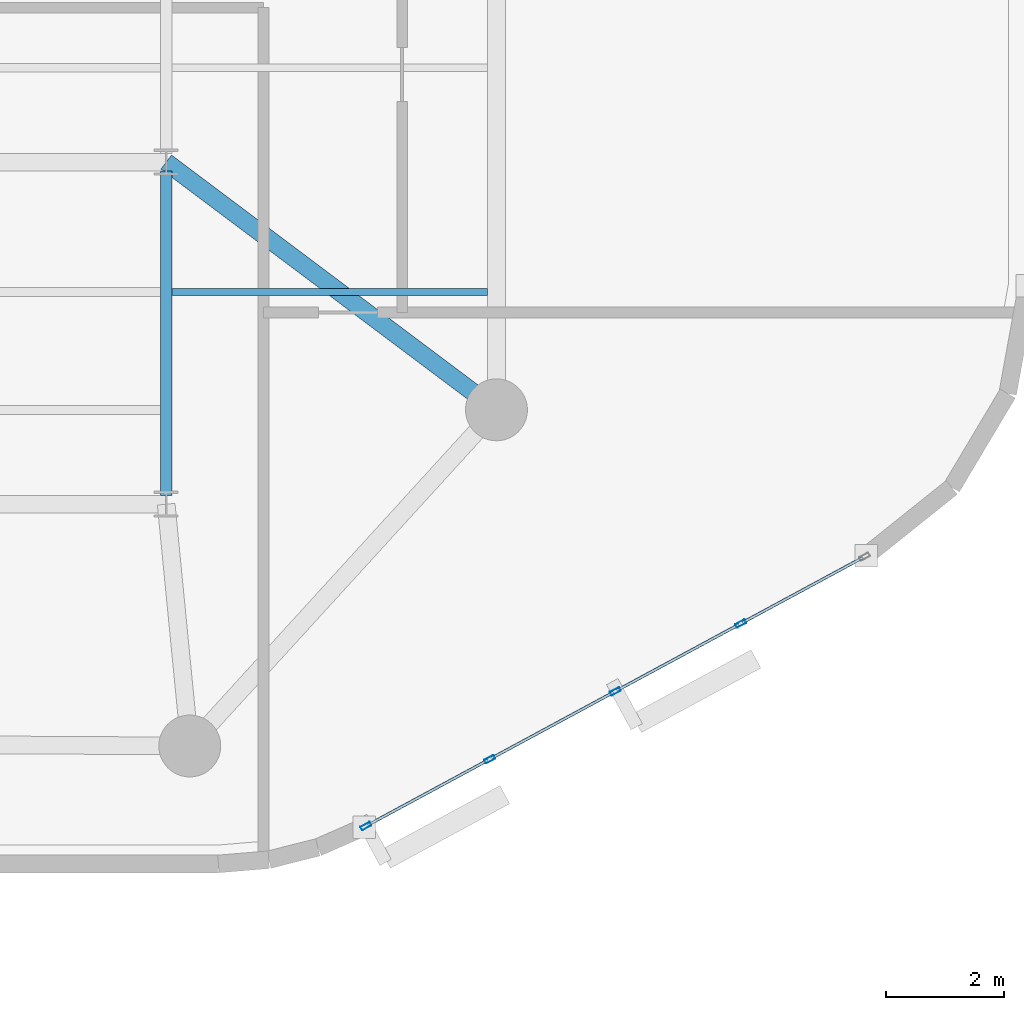
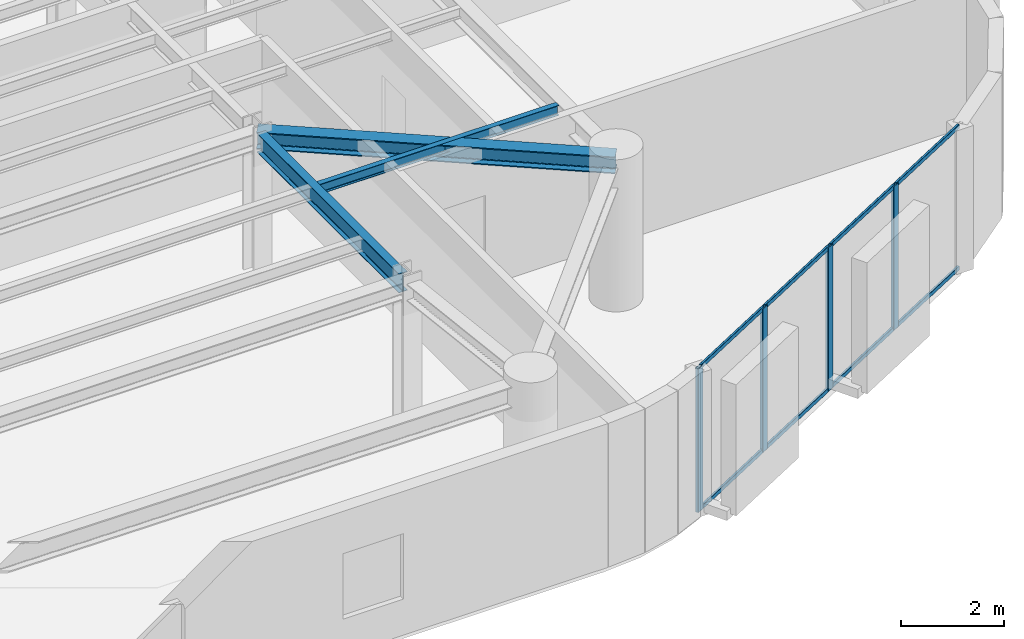
# One storey, part 2 of 13: 12 members, 3 beams, 1 element without a shape of its own.
"""IFC4 building model written with IfcOpenShell, lengths in metres."""

from ifc_helpers import new_model, si_unit, direction, frame, origin, origin_2d, place, context, subcontext, project, spatial, hollow_rectangle, i_section, extrude, material, layer, layer_set, material_profile, profile_set, type_object, element, aggregate, save


model = new_model("IFC4")

# Units and contexts
model_context = context("Model", 3, precision=1e-05, world=origin(), true_north=direction((0.0, 1.0)))
body_context = subcontext(model_context, "Body", "Model", "MODEL_VIEW")
ifc_project = project(units=[si_unit("LENGTHUNIT", "METRE"), si_unit("AREAUNIT", "SQUARE_METRE"), si_unit("VOLUMEUNIT", "CUBIC_METRE"), si_unit("PLANEANGLEUNIT", "RADIAN"), si_unit("MASSUNIT", "GRAM", prefix="KILO")], contexts=[model_context])

# Site, building, storey
site_placement = place(None, origin())
site = spatial("IfcSite", under=ifc_project, at=site_placement, CompositionType="ELEMENT")
building_placement = place(site_placement, origin())
building = spatial("IfcBuilding", under=site, at=building_placement, Name="An Khanh Terracotta Commons", CompositionType="ELEMENT")
storey_placement = place(building_placement, frame((0.0, 0.0, 233.699951171875)))
storey = spatial("IfcBuildingStorey", under=building, at=storey_placement, Name="L61", CompositionType="ELEMENT", Elevation=233.699951171875)

# Beams
ifc_material_1 = material(Name="Steel S355J2", Category="steel")
ifc_material_profile_1 = material_profile(ifc_material_1, i_section(OverallWidth=0.300048828125, OverallDepth=0.39990234375, WebThickness=0.013427734375, FlangeThickness=0.02392578125, FilletRadius=0.027099609375, at=origin_2d()), Name="HEB400")
ifc_profile_set_1 = profile_set([ifc_material_profile_1], Name="Steel S355J2")
beam_type_1 = type_object("IfcBeamType", Name="BM-HEB400", PredefinedType="BEAM", material=ifc_profile_set_1)
beam_1_placement = place(storey_placement, frame((59.60009765625, 16.0, 3.199951171875), z_axis=(-0.800008370399, 0.599988839305, 0.0), x_axis=(-0.599988839305, -0.800008370399, 0.0)))
element("IfcBeam", 1, at=beam_1_placement, inside=storey, type_object=beam_type_1, Name="L61 Mega-Column Tie Girder 3", PredefinedType="BEAM", context=body_context, shape_type="SweptSolid", body=[
    extrude(i_section(OverallWidth=0.300048828125, OverallDepth=0.39990234375, WebThickness=0.013427734375, FlangeThickness=0.02392578125, FilletRadius=0.027099609375, at=origin_2d()), origin(), (0.0, 0.0, 1.0), 7.0),
])
ifc_material_profile_2 = material_profile(ifc_material_1, i_section(OverallWidth=0.1201171875, OverallDepth=0.239990234375, WebThickness=0.006103515625, FlangeThickness=0.009765625, FilletRadius=0.014892578125, at=origin_2d()), Name="IPE240")
ifc_profile_set_2 = profile_set([ifc_material_profile_2], Name="Steel S355J2")
beam_type_2 = type_object("IfcBeamType", Name="BM-IPE240", PredefinedType="JOIST", material=ifc_profile_set_2)
beam_2_placement = place(storey_placement, frame((54.094970703125, 18.0, 3.280029296875), z_axis=(1.0, 0.0, 0.0), x_axis=(0.0, 1.0, 0.0)))
element("IfcBeam", 2, at=beam_2_placement, inside=storey, type_object=beam_type_2, Name="L61 Riverfront Composite Joist 2", PredefinedType="JOIST", context=body_context, shape_type="SweptSolid", body=[
    extrude(i_section(OverallWidth=0.1201171875, OverallDepth=0.239990234375, WebThickness=0.006103515625, FlangeThickness=0.009765625, FilletRadius=0.014892578125, at=origin_2d()), origin(), (0.0, 0.0, 1.0), 5.35498046875),
])
ifc_material_profile_3 = material_profile(ifc_material_1, i_section(OverallWidth=0.18994140625, OverallDepth=0.449951171875, WebThickness=0.009521484375, FlangeThickness=0.0146484375, FilletRadius=0.02099609375, at=origin_2d()), Name="IPE450")
ifc_profile_set_3 = profile_set([ifc_material_profile_3], Name="Steel S355J2")
beam_type_3 = type_object("IfcBeamType", Name="BM-IPE450", PredefinedType="JOIST", material=ifc_profile_set_3)
beam_3_placement = place(storey_placement, frame((54.0, 14.550048828125, 3.175048828125), z_axis=(0.0, 1.0, 0.0), x_axis=(-1.0, 0.0, 0.0)))
element("IfcBeam", 3, at=beam_3_placement, inside=storey, type_object=beam_type_3, Name="L61 East Spine Girder 1", PredefinedType="JOIST", context=body_context, shape_type="SweptSolid", body=[
    extrude(i_section(OverallWidth=0.18994140625, OverallDepth=0.449951171875, WebThickness=0.009521484375, FlangeThickness=0.0146484375, FilletRadius=0.02099609375, at=origin_2d()), origin(), (0.0, 0.0, 1.0), 5.5),
])

# Curtain wall, members
ifc_material_2 = material(Name="Anodised Aluminium 6063-T6", Category="aluminium")
ifc_layer = layer(ifc_material_2, 0.2099609375, Name="Anodised Aluminium 6063-T6")
ifc_layer_set = layer_set([ifc_layer], Name="Anodised Aluminium 6063-T6")
curtain_wall_type = type_object("IfcCurtainWallType", Name="CW-SYS-03", PredefinedType="USERDEFINED", material=ifc_layer_set)
curtain_wall_placement = place(storey_placement, origin())
curtain_wall = element("IfcCurtainWall", 4, at=curtain_wall_placement, inside=storey, type_object=curtain_wall_type, Name="L61 CW-03 Unitised Curtain Wall CW-L61-08", ObjectType="UNITISED CURTAIN WALL", PredefinedType="USERDEFINED")
ifc_material_profile_4 = material_profile(ifc_material_2, hollow_rectangle(XDim=0.070068359375, YDim=0.179931640625, WallThickness=0.00390625, InnerFilletRadius=0.00390625, OuterFilletRadius=0.008056640625, at=origin_2d()), Name="RHS180x70x4")
ifc_profile_set_4 = profile_set([ifc_material_profile_4], Name="Anodised Aluminium 6063-T6")
member_type_1 = type_object("IfcMemberType", Name="CWM-RHS180x70x4", PredefinedType="MULLION", material=ifc_profile_set_4)
member_1_placement = place(storey_placement, frame((57.3876953125, 8.941650390625, 0.0), z_axis=(0.0, 0.0, 1.0), x_axis=(-0.47538088298, 0.879780095306, 0.0)))
member_1 = element("IfcMember", 5, at=member_1_placement, type_object=member_type_1, Name="CW-03 mullion 1", PredefinedType="MULLION", context=body_context, shape_type="SweptSolid", body=[
    extrude(hollow_rectangle(XDim=0.070068359375, YDim=0.179931640625, WallThickness=0.00390625, InnerFilletRadius=0.00390625, OuterFilletRadius=0.008056640625, at=origin_2d()), origin(), (0.0, 0.0, 1.0), 3.400146484375),
])
member_2_placement = place(storey_placement, frame((59.48583984375, 10.0751953125, 0.0), z_axis=(0.0, 0.0, 1.0), x_axis=(-0.47538088298, 0.879780095306, 0.0)))
member_2 = element("IfcMember", 6, at=member_2_placement, type_object=member_type_1, Name="CW-03 mullion 2", PredefinedType="MULLION", context=body_context, shape_type="SweptSolid", body=[
    extrude(hollow_rectangle(XDim=0.070068359375, YDim=0.179931640625, WallThickness=0.00390625, InnerFilletRadius=0.00390625, OuterFilletRadius=0.008056640625, at=origin_2d()), origin(), (0.0, 0.0, 1.0), 3.400146484375),
])
member_3_placement = place(storey_placement, frame((61.614501953125, 11.2255859375, 0.0), z_axis=(0.0, 0.0, 1.0), x_axis=(-0.47538088298, 0.879780095306, 0.0)))
member_3 = element("IfcMember", 7, at=member_3_placement, type_object=member_type_1, Name="CW-03 mullion 3", PredefinedType="MULLION", context=body_context, shape_type="SweptSolid", body=[
    extrude(hollow_rectangle(XDim=0.070068359375, YDim=0.179931640625, WallThickness=0.00390625, InnerFilletRadius=0.00390625, OuterFilletRadius=0.008056640625, at=origin_2d()), origin(), (0.0, 0.0, 1.0), 3.400146484375),
])
member_4_placement = place(storey_placement, frame((63.7431640625, 12.375732421875, 0.0), z_axis=(0.0, 0.0, 1.0), x_axis=(-0.47538088298, 0.879780095306, 0.0)))
member_4 = element("IfcMember", 8, at=member_4_placement, type_object=member_type_1, Name="CW-03 mullion 4", PredefinedType="MULLION", context=body_context, shape_type="SweptSolid", body=[
    extrude(hollow_rectangle(XDim=0.070068359375, YDim=0.179931640625, WallThickness=0.00390625, InnerFilletRadius=0.00390625, OuterFilletRadius=0.008056640625, at=origin_2d()), origin(), (0.0, 0.0, 1.0), 3.400146484375),
])
ifc_material_profile_5 = material_profile(ifc_material_2, hollow_rectangle(XDim=0.050048828125, YDim=0.10009765625, WallThickness=0.003173828125, InnerFilletRadius=0.003173828125, OuterFilletRadius=0.00634765625, at=origin_2d()), Name="RHS100x50x3.2")
ifc_profile_set_5 = profile_set([ifc_material_profile_5], Name="Anodised Aluminium 6063-T6")
member_type_2 = type_object("IfcMemberType", Name="CWT-RHS100x50x3.2", PredefinedType="USERDEFINED", material=ifc_profile_set_5)
member_5_placement = place(storey_placement, frame((57.418701171875, 8.958251953125, 0.025146484375), z_axis=(0.879779245677, 0.475382455373, 0.0), x_axis=(-0.475382455373, 0.879779245677, 0.0)))
member_5 = element("IfcMember", 9, at=member_5_placement, type_object=member_type_2, Name="CW-03 transom 1.1", ObjectType="TRANSOM", PredefinedType="USERDEFINED", context=body_context, shape_type="SweptSolid", body=[
    extrude(hollow_rectangle(XDim=0.050048828125, YDim=0.10009765625, WallThickness=0.003173828125, InnerFilletRadius=0.003173828125, OuterFilletRadius=0.00634765625, at=origin_2d()), origin(), (0.0, 0.0, 1.0), 2.314697265625),
])
member_6_placement = place(storey_placement, frame((57.418701171875, 8.958251953125, 3.375), z_axis=(0.879779245677, 0.475382455373, 0.0), x_axis=(-0.475382455373, 0.879779245677, 0.0)))
member_6 = element("IfcMember", 10, at=member_6_placement, type_object=member_type_2, Name="CW-03 transom 1.2", ObjectType="TRANSOM", PredefinedType="USERDEFINED", context=body_context, shape_type="SweptSolid", body=[
    extrude(hollow_rectangle(XDim=0.050048828125, YDim=0.10009765625, WallThickness=0.003173828125, InnerFilletRadius=0.003173828125, OuterFilletRadius=0.00634765625, at=origin_2d()), origin(), (0.0, 0.0, 1.0), 2.314697265625),
])
member_7_placement = place(storey_placement, frame((59.5166015625, 10.091796875, 0.025146484375), z_axis=(0.879782861449, 0.475375763686, 0.0), x_axis=(-0.475375763686, 0.879782861449, 0.0)))
member_7 = element("IfcMember", 11, at=member_7_placement, type_object=member_type_2, Name="CW-03 transom 2.1", ObjectType="TRANSOM", PredefinedType="USERDEFINED", context=body_context, shape_type="SweptSolid", body=[
    extrude(hollow_rectangle(XDim=0.050048828125, YDim=0.10009765625, WallThickness=0.003173828125, InnerFilletRadius=0.003173828125, OuterFilletRadius=0.00634765625, at=origin_2d()), origin(), (0.0, 0.0, 1.0), 2.349609375),
])
member_8_placement = place(storey_placement, frame((59.5166015625, 10.091796875, 3.375), z_axis=(0.879782861449, 0.475375763686, 0.0), x_axis=(-0.475375763686, 0.879782861449, 0.0)))
member_8 = element("IfcMember", 12, at=member_8_placement, type_object=member_type_2, Name="CW-03 transom 2.2", ObjectType="TRANSOM", PredefinedType="USERDEFINED", context=body_context, shape_type="SweptSolid", body=[
    extrude(hollow_rectangle(XDim=0.050048828125, YDim=0.10009765625, WallThickness=0.003173828125, InnerFilletRadius=0.003173828125, OuterFilletRadius=0.00634765625, at=origin_2d()), origin(), (0.0, 0.0, 1.0), 2.349609375),
])
member_9_placement = place(storey_placement, frame((61.645263671875, 11.2421875, 0.025146484375), z_axis=(0.879782861449, 0.475375763686, 0.0), x_axis=(-0.475375763686, 0.879782861449, 0.0)))
member_9 = element("IfcMember", 13, at=member_9_placement, type_object=member_type_2, Name="CW-03 transom 3.1", ObjectType="TRANSOM", PredefinedType="USERDEFINED", context=body_context, shape_type="SweptSolid", body=[
    extrude(hollow_rectangle(XDim=0.050048828125, YDim=0.10009765625, WallThickness=0.003173828125, InnerFilletRadius=0.003173828125, OuterFilletRadius=0.00634765625, at=origin_2d()), origin(), (0.0, 0.0, 1.0), 2.349609375),
])
member_10_placement = place(storey_placement, frame((61.645263671875, 11.2421875, 3.375), z_axis=(0.879782861449, 0.475375763686, 0.0), x_axis=(-0.475375763686, 0.879782861449, 0.0)))
member_10 = element("IfcMember", 14, at=member_10_placement, type_object=member_type_2, Name="CW-03 transom 3.2", ObjectType="TRANSOM", PredefinedType="USERDEFINED", context=body_context, shape_type="SweptSolid", body=[
    extrude(hollow_rectangle(XDim=0.050048828125, YDim=0.10009765625, WallThickness=0.003173828125, InnerFilletRadius=0.003173828125, OuterFilletRadius=0.00634765625, at=origin_2d()), origin(), (0.0, 0.0, 1.0), 2.349609375),
])
member_11_placement = place(storey_placement, frame((63.77392578125, 12.392333984375, 0.025146484375), z_axis=(0.879779245677, 0.475382455373, 0.0), x_axis=(-0.475382455373, 0.879779245677, 0.0)))
member_11 = element("IfcMember", 15, at=member_11_placement, type_object=member_type_2, Name="CW-03 transom 4.1", ObjectType="TRANSOM", PredefinedType="USERDEFINED", context=body_context, shape_type="SweptSolid", body=[
    extrude(hollow_rectangle(XDim=0.050048828125, YDim=0.10009765625, WallThickness=0.003173828125, InnerFilletRadius=0.003173828125, OuterFilletRadius=0.00634765625, at=origin_2d()), origin(), (0.0, 0.0, 1.0), 2.314697265625),
])
member_12_placement = place(storey_placement, frame((63.77392578125, 12.392333984375, 3.375), z_axis=(0.879779245677, 0.475382455373, 0.0), x_axis=(-0.475382455373, 0.879779245677, 0.0)))
member_12 = element("IfcMember", 16, at=member_12_placement, type_object=member_type_2, Name="CW-03 transom 4.2", ObjectType="TRANSOM", PredefinedType="USERDEFINED", context=body_context, shape_type="SweptSolid", body=[
    extrude(hollow_rectangle(XDim=0.050048828125, YDim=0.10009765625, WallThickness=0.003173828125, InnerFilletRadius=0.003173828125, OuterFilletRadius=0.00634765625, at=origin_2d()), origin(), (0.0, 0.0, 1.0), 2.314697265625),
])
aggregate(curtain_wall, [member_1, member_2, member_3, member_4, member_5, member_6, member_7, member_8, member_9, member_10, member_11, member_12])

save(model, "model.ifc")
